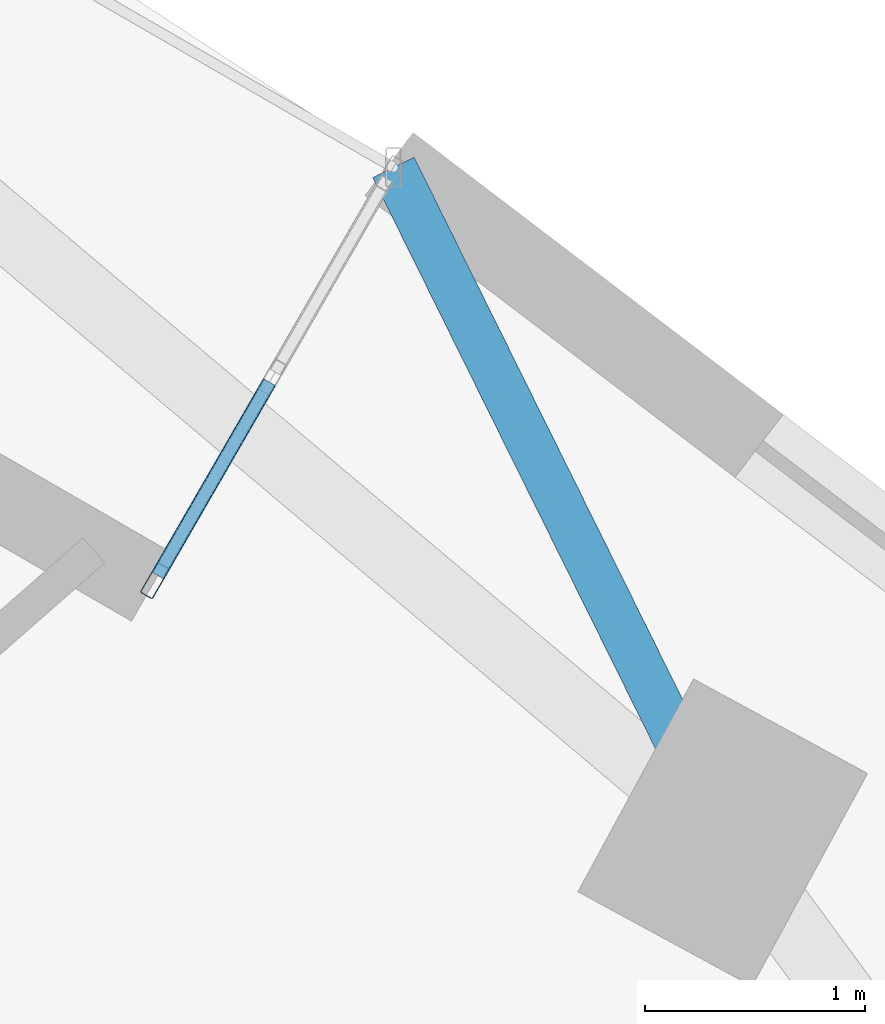
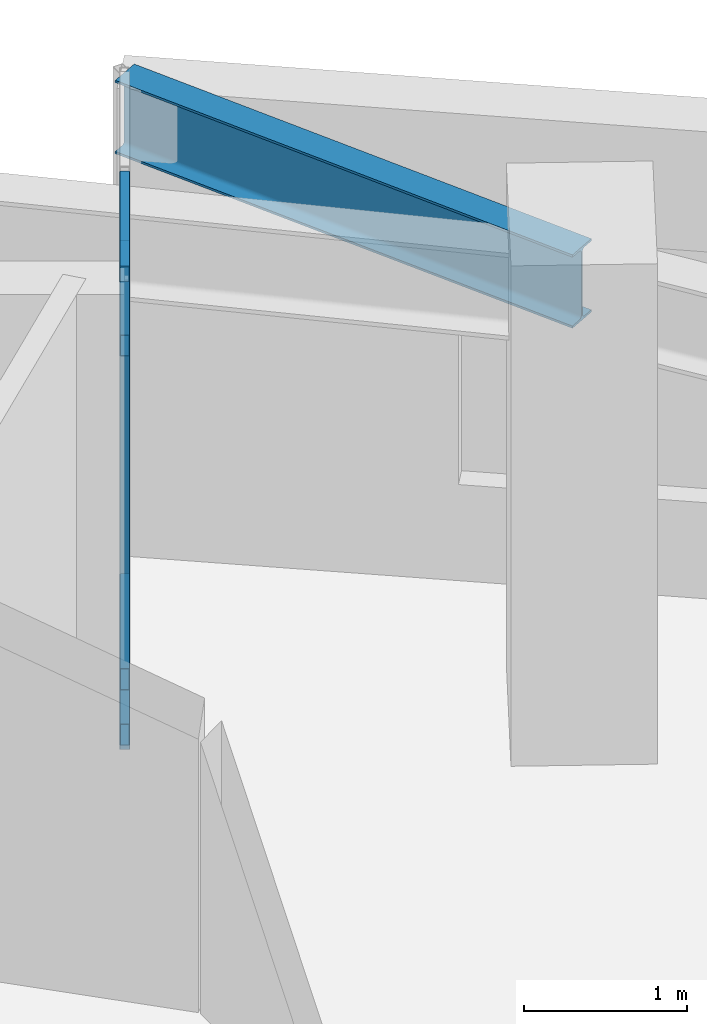
# One storey, part 2 of 13: 5 members, 1 beam, 1 element without a shape of its own.
"""IFC4 building model written with IfcOpenShell, lengths in metres."""

from ifc_helpers import new_model, si_unit, direction, frame, origin, origin_2d, place, context, subcontext, project, spatial, hollow_rectangle, i_section, extrude, material, layer, layer_set, material_profile, profile_set, type_object, element, aggregate, save


model = new_model("IFC4")

# Units and contexts
model_context = context("Model", 3, precision=1e-05, world=origin(), true_north=direction((0.0, 1.0)))
body_context = subcontext(model_context, "Body", "Model", "MODEL_VIEW")
ifc_project = project(units=[si_unit("LENGTHUNIT", "METRE"), si_unit("AREAUNIT", "SQUARE_METRE"), si_unit("VOLUMEUNIT", "CUBIC_METRE"), si_unit("PLANEANGLEUNIT", "RADIAN"), si_unit("MASSUNIT", "GRAM", prefix="KILO")], contexts=[model_context])

# Site, building, storey
site_placement = place(None, origin())
site = spatial("IfcSite", under=ifc_project, at=site_placement, CompositionType="ELEMENT")
building_placement = place(site_placement, origin())
building = spatial("IfcBuilding", under=site, at=building_placement, Name="Ndelora Gate Hotel", CompositionType="ELEMENT")
storey_placement = place(building_placement, frame((0.0, 0.0, 123.5)))
storey = spatial("IfcBuildingStorey", under=building, at=storey_placement, Name="L30", CompositionType="ELEMENT", Elevation=123.5)

# Beam
ifc_material_1 = material(Name="Steel S355", Category="steel")
ifc_material_profile_1 = material_profile(ifc_material_1, i_section(OverallWidth=0.2099609375, OverallDepth=0.550048828125, WebThickness=0.010986328125, FlangeThickness=0.01708984375, FilletRadius=0.02392578125, at=origin_2d()), Name="IPE 550")
ifc_profile_set_1 = profile_set([ifc_material_profile_1], Name="Steel S355")
beam_type = type_object("IfcBeamType", Name="BM-RAD-550", PredefinedType="BEAM", material=ifc_profile_set_1)
beam_placement = place(storey_placement, frame((14.30712890625, 8.767333984375, 3.22509765625), z_axis=(-0.44364812244, 0.896201061959, 0.0), x_axis=(-0.896201061959, -0.44364812244, 0.0)))
element("IfcBeam", 1, at=beam_placement, inside=storey, type_object=beam_type, Name="L30 Sky-Garden Loggia Column Bracket 1", PredefinedType="BEAM", context=body_context, shape_type="SweptSolid", body=[
    extrude(i_section(OverallWidth=0.2099609375, OverallDepth=0.550048828125, WebThickness=0.010986328125, FlangeThickness=0.01708984375, FilletRadius=0.02392578125, at=origin_2d()), origin(), (0.0, 0.0, 1.0), 3.372314453125),
])

# Curtain wall, members
ifc_material_2 = material(Name="Bronze Anodised Unitised Aluminium and Low-E Glass", Category="aluminium")
ifc_layer = layer(ifc_material_2, 0.199951171875)
ifc_layer_set = layer_set([ifc_layer], Name="Bronze Anodised Unitised Aluminium and Low-E Glass")
curtain_wall_type = type_object("IfcCurtainWallType", Name="CW-SYS-3", PredefinedType="NOTDEFINED", material=ifc_layer_set)
curtain_wall_placement = place(storey_placement, origin())
curtain_wall = element("IfcCurtainWall", 2, at=curtain_wall_placement, inside=storey, type_object=curtain_wall_type, Name="L30 Sky-Garden Loggia Side Curtain Wall CW3-1", PredefinedType="NOTDEFINED")
ifc_material_3 = material(Name="Bronze Anodised Aluminium 6063-T6", Category="aluminium")
ifc_material_profile_2 = material_profile(ifc_material_3, hollow_rectangle(XDim=0.06494140625, YDim=0.159912109375, WallThickness=0.00390625, InnerFilletRadius=0.00390625, OuterFilletRadius=0.008056640625, at=origin_2d()), Name="ALU 160x65x4")
ifc_profile_set_2 = profile_set([ifc_material_profile_2], Name="Bronze Anodised Aluminium 6063-T6")
member_type_1 = type_object("IfcMemberType", Name="MB-CW-MUL150", PredefinedType="MULLION", material=ifc_profile_set_2)
member_1_placement = place(storey_placement, frame((11.727294921875, 9.912353515625, -0.00390625), z_axis=(0.0, 0.0, 1.0), x_axis=(-0.866019052627, 0.500011000366, 0.0)))
member_1 = element("IfcMember", 3, at=member_1_placement, type_object=member_type_1, Name="CW3 mullion 1", PredefinedType="MULLION", context=body_context, shape_type="SweptSolid", body=[
    extrude(hollow_rectangle(XDim=0.06494140625, YDim=0.159912109375, WallThickness=0.00390625, InnerFilletRadius=0.00390625, OuterFilletRadius=0.008056640625, at=origin_2d()), origin(), (0.0, 0.0, 1.0), 3.5078125),
])
ifc_material_profile_3 = material_profile(ifc_material_3, hollow_rectangle(XDim=0.06494140625, YDim=0.159912109375, WallThickness=0.00390625, InnerFilletRadius=0.00390625, OuterFilletRadius=0.008056640625, at=origin_2d()), Name="ALU 160x65x4")
ifc_profile_set_3 = profile_set([ifc_material_profile_3], Name="Bronze Anodised Aluminium 6063-T6")
member_type_2 = type_object("IfcMemberType", Name="MB-CW-TRN150", PredefinedType="USERDEFINED", material=ifc_profile_set_3)
member_2_placement = place(storey_placement, frame((11.74072265625, 9.935302734375, 0.032470703125), z_axis=(0.499840506035, 0.866117468088, 0.0), x_axis=(-0.866117468088, 0.499840506035, 0.0)))
member_2 = element("IfcMember", 4, at=member_2_placement, type_object=member_type_2, Name="CW3 transom 1.1", ObjectType="TRANSOM", PredefinedType="USERDEFINED", context=body_context, shape_type="SweptSolid", body=[
    extrude(hollow_rectangle(XDim=0.06494140625, YDim=0.159912109375, WallThickness=0.00390625, InnerFilletRadius=0.00390625, OuterFilletRadius=0.008056640625, at=origin_2d()), origin(), (0.0, 0.0, 1.0), 1.014404296875),
])
member_3_placement = place(storey_placement, frame((11.74072265625, 9.935302734375, 0.449951171875), z_axis=(0.499840506035, 0.866117468088, 0.0), x_axis=(-0.866117468088, 0.499840506035, 0.0)))
member_3 = element("IfcMember", 5, at=member_3_placement, type_object=member_type_2, Name="CW3 transom 1.2", ObjectType="TRANSOM", PredefinedType="USERDEFINED", context=body_context, shape_type="SweptSolid", body=[
    extrude(hollow_rectangle(XDim=0.06494140625, YDim=0.159912109375, WallThickness=0.00390625, InnerFilletRadius=0.00390625, OuterFilletRadius=0.008056640625, at=origin_2d()), origin(), (0.0, 0.0, 1.0), 1.014404296875),
])
member_4_placement = place(storey_placement, frame((11.74072265625, 9.935302734375, 2.949951171875), z_axis=(0.499840506035, 0.866117468088, 0.0), x_axis=(-0.866117468088, 0.499840506035, 0.0)))
member_4 = element("IfcMember", 6, at=member_4_placement, type_object=member_type_2, Name="CW3 transom 1.3", ObjectType="TRANSOM", PredefinedType="USERDEFINED", context=body_context, shape_type="SweptSolid", body=[
    extrude(hollow_rectangle(XDim=0.06494140625, YDim=0.159912109375, WallThickness=0.00390625, InnerFilletRadius=0.00390625, OuterFilletRadius=0.008056640625, at=origin_2d()), origin(), (0.0, 0.0, 1.0), 1.014404296875),
])
member_5_placement = place(storey_placement, frame((11.74072265625, 9.935302734375, 3.467529296875), z_axis=(0.499840506035, 0.866117468088, 0.0), x_axis=(-0.866117468088, 0.499840506035, 0.0)))
member_5 = element("IfcMember", 7, at=member_5_placement, type_object=member_type_2, Name="CW3 transom 1.4", ObjectType="TRANSOM", PredefinedType="USERDEFINED", context=body_context, shape_type="SweptSolid", body=[
    extrude(hollow_rectangle(XDim=0.06494140625, YDim=0.159912109375, WallThickness=0.00390625, InnerFilletRadius=0.00390625, OuterFilletRadius=0.008056640625, at=origin_2d()), origin(), (0.0, 0.0, 1.0), 1.014404296875),
])
aggregate(curtain_wall, [member_1, member_2, member_3, member_4, member_5])

save(model, "model.ifc")
